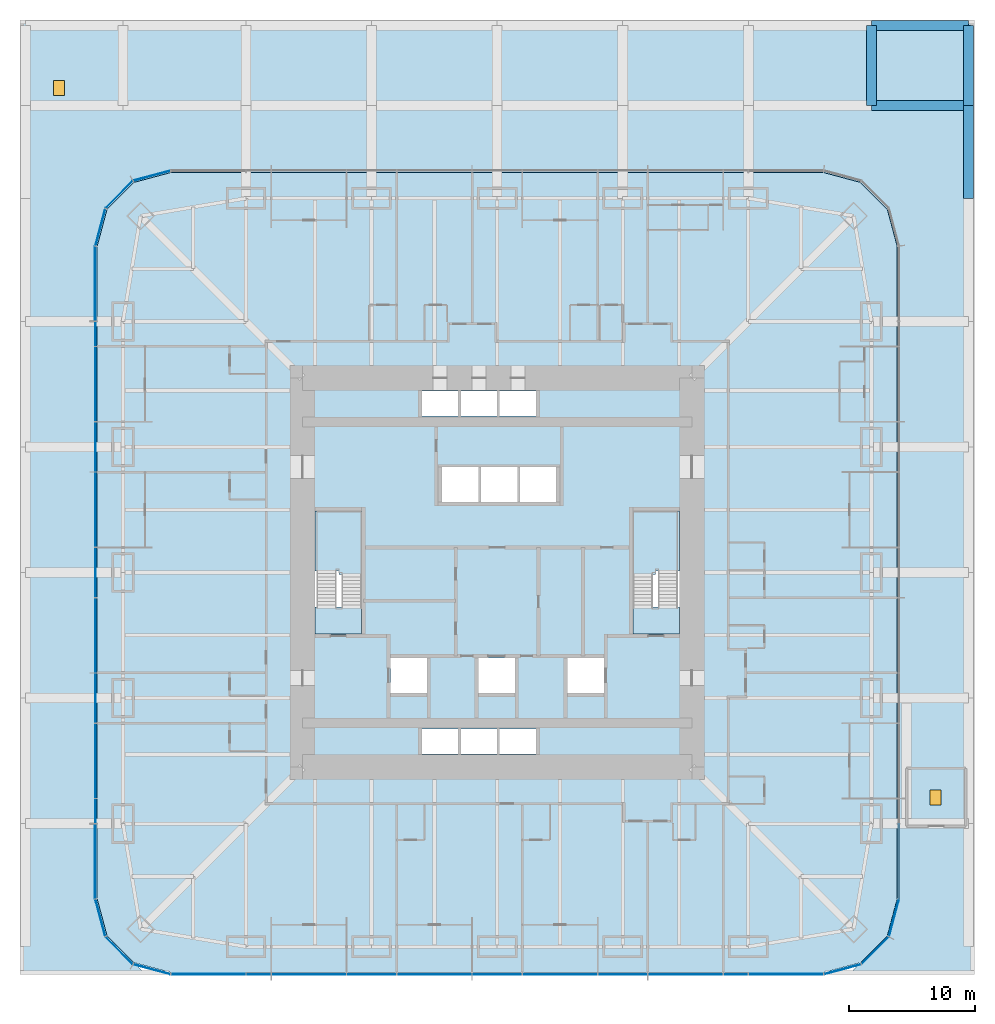
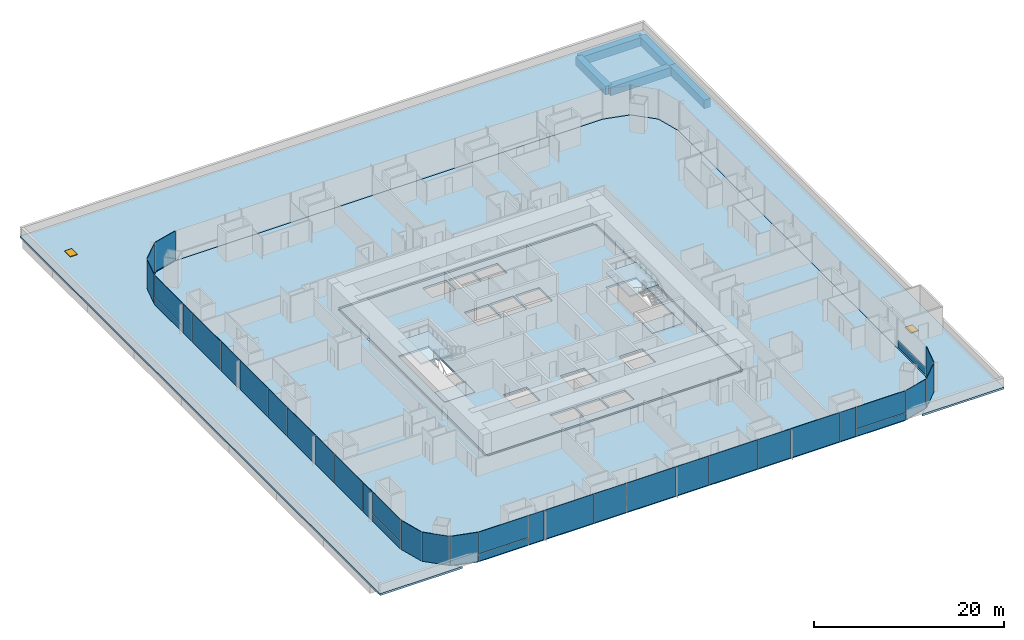
# One storey, part 12 of 20: 36 plates, 7 slabs, 5 beams, 2 doors, 2 openings, 8 elements without a shape of their own.
"""IFC4 building model written with IfcOpenShell, lengths in metres."""

from ifc_helpers import new_model, si_unit, direction, frame, origin, origin_2d, place, context, subcontext, project, spatial, polyline, rectangle, outline, extrude, material, layer, layer_set, material_profile, profile_set, type_object, element, fill, aggregate, save


model = new_model("IFC4")

# Units and contexts
model_context = context("Model", 3, precision=1e-05, world=origin(), true_north=direction((0.0, 1.0)))
body_context = subcontext(model_context, "Body", "Model", "MODEL_VIEW")
ifc_project = project(units=[si_unit("LENGTHUNIT", "METRE"), si_unit("AREAUNIT", "SQUARE_METRE"), si_unit("VOLUMEUNIT", "CUBIC_METRE"), si_unit("PLANEANGLEUNIT", "RADIAN"), si_unit("MASSUNIT", "GRAM", prefix="KILO")], contexts=[model_context])

# Site, building, storey
site_placement = place(None, origin())
site = spatial("IfcSite", under=ifc_project, at=site_placement, CompositionType="ELEMENT")
building_placement = place(site_placement, origin())
building = spatial("IfcBuilding", under=site, at=building_placement, Name="Khuree Lantern Residences", CompositionType="ELEMENT")
storey_placement = place(building_placement, frame((0.0, 0.0, 21.0)))
storey = spatial("IfcBuildingStorey", under=building, at=storey_placement, Name="L04", CompositionType="ELEMENT", Elevation=21.0)

# Beams
ifc_material_1 = material(Name="Concrete C40/50", Category="concrete")
ifc_material_profile = material_profile(ifc_material_1, rectangle(XDim=0.800048828125, YDim=1.10009765625, at=origin_2d()), Name="RC 800X1100")
ifc_profile_set = profile_set([ifc_material_profile], Name="Concrete C40/50")
beam_type = type_object("IfcBeamType", Name="RB4 PODIUM ROOF BEAM RC 800X1100", PredefinedType="BEAM", material=ifc_profile_set)
for number, where, z_axis, x_axis, name in (
    (1, (29.800048828125, 37.199951171875, -0.800048828125), (1.0, 0.0, 0.0), (0.0, 1.0, 0.0), "Podium roof beam RB-18"),
    (2, (29.800048828125, 43.550048828125, -0.800048828125), (1.0, 0.0, 0.0), (0.0, 1.0, 0.0), "Podium roof beam RB-26"),
):
    element("IfcBeam", number, at=place(storey_placement, frame(where, z_axis=z_axis, x_axis=x_axis)), inside=storey, type_object=beam_type, Name=name, PredefinedType="BEAM", context=body_context, shape_type="SweptSolid", body=[
        extrude(rectangle(XDim=0.800048828125, YDim=1.10009765625, at=origin_2d()), origin(), (0.0, 0.0, 1.0), 7.75),
    ])
beam_1_placement = place(storey_placement, frame((29.800048828125, 37.199951171875, -0.800048828125), z_axis=(0.0, 1.0, 0.0), x_axis=(-1.0, 0.0, 0.0)))
element("IfcBeam", 3, at=beam_1_placement, inside=storey, type_object=beam_type, Name="Podium roof beam RB-46", PredefinedType="BEAM", context=body_context, shape_type="SweptSolid", body=[
    extrude(rectangle(XDim=0.800048828125, YDim=1.10009765625, at=origin_2d()), origin(), (0.0, 0.0, 1.0), 6.35009765625),
])
beam_2_placement = place(storey_placement, frame((37.550048828125, 29.800048828125, -0.800048828125), z_axis=(0.0, 1.0, 0.0), x_axis=(-1.0, 0.0, 0.0)))
element("IfcBeam", 4, at=beam_2_placement, inside=storey, type_object=beam_type, Name="Podium roof beam RB-53", PredefinedType="BEAM", context=body_context, shape_type="SweptSolid", body=[
    extrude(rectangle(XDim=0.800048828125, YDim=1.10009765625, at=origin_2d()), origin(), (0.0, 0.0, 1.0), 7.39990234375),
])
beam_3_placement = place(storey_placement, frame((37.550048828125, 37.199951171875, -0.800048828125), z_axis=(0.0, 1.0, 0.0), x_axis=(-1.0, 0.0, 0.0)))
element("IfcBeam", 5, at=beam_3_placement, inside=storey, type_object=beam_type, Name="Podium roof beam RB-54", PredefinedType="BEAM", context=body_context, shape_type="SweptSolid", body=[
    extrude(rectangle(XDim=0.800048828125, YDim=1.10009765625, at=origin_2d()), origin(), (0.0, 0.0, 1.0), 6.35009765625),
])

# Slab
ifc_material_2 = material(Name="Concrete C35/45", Category="concrete")
ifc_layer_1 = layer(ifc_material_2, 0.25)
ifc_layer_set_1 = layer_set([ifc_layer_1], Name="CFL250 CORE FLOOR SLAB 250")
slab_type_1 = type_object("IfcSlabType", Name="CFL250 CORE FLOOR SLAB 250", PredefinedType="FLOOR", material=ifc_layer_set_1)
slab_1_placement = place(storey_placement, frame((0.0, 0.0, -0.25)))
element("IfcSlab", 6, at=slab_1_placement, inside=storey, type_object=slab_type_1, Name="Core floor L04", PredefinedType="FLOOR", context=body_context, shape_type="SweptSolid", body=[
    extrude(outline(polyline([(-15.5, -15.5), (-15.5, 15.5), (15.5, 15.5), (15.5, -15.5), (-15.5, -15.5)]), holes=[polyline([(14.5, 4.89990234375), (10.800048828125, 4.89990234375), (10.800048828125, -4.89990234375), (14.5, -4.89990234375), (14.5, 4.89990234375)]), polyline([(8.5, -6.800048828125), (5.60009765625, -6.800048828125), (5.60009765625, -9.60009765625), (8.5, -9.60009765625), (8.5, -6.800048828125)]), polyline([(4.699951171875, 8.39990234375), (1.800048828125, 8.39990234375), (1.800048828125, 5.60009765625), (4.699951171875, 5.60009765625), (4.699951171875, 8.39990234375)]), polyline([(0.199951171875, -12.449951171875), (0.199951171875, -14.449951171875), (3.10009765625, -14.449951171875), (3.10009765625, -12.449951171875), (0.199951171875, -12.449951171875)]), polyline([(3.10009765625, 14.449951171875), (0.199951171875, 14.449951171875), (0.199951171875, 12.449951171875), (3.10009765625, 12.449951171875), (3.10009765625, 14.449951171875)]), polyline([(1.60009765625, 8.39990234375), (-1.300048828125, 8.39990234375), (-1.300048828125, 5.60009765625), (1.60009765625, 5.60009765625), (1.60009765625, 8.39990234375)]), polyline([(1.39990234375, -6.800048828125), (-1.5, -6.800048828125), (-1.5, -9.60009765625), (1.39990234375, -9.60009765625), (1.39990234375, -6.800048828125)]), polyline([(0.0, -12.449951171875), (-2.89990234375, -12.449951171875), (-2.89990234375, -14.449951171875), (0.0, -14.449951171875), (0.0, -12.449951171875)]), polyline([(0.0, 14.449951171875), (-2.89990234375, 14.449951171875), (-2.89990234375, 12.449951171875), (0.0, 12.449951171875), (0.0, 14.449951171875)]), polyline([(-1.5, 8.39990234375), (-4.39990234375, 8.39990234375), (-4.39990234375, 5.60009765625), (-1.5, 5.60009765625), (-1.5, 8.39990234375)]), polyline([(-6.0, -12.449951171875), (-6.0, -14.449951171875), (-3.10009765625, -14.449951171875), (-3.10009765625, -12.449951171875), (-6.0, -12.449951171875)]), polyline([(-3.10009765625, 14.449951171875), (-6.0, 14.449951171875), (-6.0, 12.449951171875), (-3.10009765625, 12.449951171875), (-3.10009765625, 14.449951171875)]), polyline([(-5.60009765625, -6.800048828125), (-8.5, -6.800048828125), (-8.5, -9.60009765625), (-5.60009765625, -9.60009765625), (-5.60009765625, -6.800048828125)]), polyline([(-10.800048828125, 4.89990234375), (-14.5, 4.89990234375), (-14.5, -4.89990234375), (-10.800048828125, -4.89990234375), (-10.800048828125, 4.89990234375)])]), origin(), (0.0, 0.0, 1.0), 0.25),
])

# Curtain wall, plates
ifc_material_3 = material(Name="Bronze anodised aluminium", Category="aluminium")
curtain_wall_type_1 = type_object("IfcCurtainWallType", Name="CW-T2 TOWER CORNER CURTAIN WALL", PredefinedType="USERDEFINED", material=ifc_material_3)
curtain_wall_1_placement = place(storey_placement, origin())
curtain_wall_1 = element("IfcCurtainWall", 7, at=curtain_wall_1_placement, inside=storey, type_object=curtain_wall_type_1, Name="L04 SOUTH-EAST CORNER CURTAIN WALL", ObjectType="Faceted corner curtain wall", PredefinedType="USERDEFINED")
ifc_material_4 = material(Name="Bronze tinted triple glazing", Category="glass")
ifc_layer_2 = layer(ifc_material_4, 0.048095703125)
ifc_layer_set_2 = layer_set([ifc_layer_2], Name="FACET PANEL P4")
plate_type_1 = type_object("IfcPlateType", Name="FACET PANEL P4", PredefinedType="CURTAIN_PANEL", material=ifc_layer_set_2)
plate_1_placement = place(storey_placement, frame((27.498046875, -31.5986328125, 0.0), z_axis=(0.0, 0.0, 1.0), x_axis=(0.965925792265, 0.258819172081, 0.0)))
plate_1 = element("IfcPlate", 8, at=plate_1_placement, type_object=plate_type_1, Name="L04 SOUTH-EAST CORNER PANEL 1.1", PredefinedType="CURTAIN_PANEL", context=body_context, shape_type="SweptSolid", body=[
    extrude(rectangle(XDim=3.02978515625, YDim=0.048095703125, at=origin_2d()), origin(), (0.0, 0.0, 1.0), 3.75),
])
plate_2_placement = place(storey_placement, frame((30.09814453125, -30.09814453125, 0.0), z_axis=(0.0, 0.0, 1.0), x_axis=(0.707106781187, 0.707106781187, 0.0)))
plate_2 = element("IfcPlate", 9, at=plate_2_placement, type_object=plate_type_1, Name="L04 SOUTH-EAST CORNER PANEL 2.1", PredefinedType="CURTAIN_PANEL", context=body_context, shape_type="SweptSolid", body=[
    extrude(rectangle(XDim=3.025634765625, YDim=0.048095703125, at=origin_2d()), origin(), (0.0, 0.0, 1.0), 3.75),
])
plate_3_placement = place(storey_placement, frame((31.5986328125, -27.498046875, 0.0), z_axis=(0.0, 0.0, 1.0), x_axis=(0.258819172081, 0.965925792265, 0.0)))
plate_3 = element("IfcPlate", 10, at=plate_3_placement, type_object=plate_type_1, Name="L04 SOUTH-EAST CORNER PANEL 3.1", PredefinedType="CURTAIN_PANEL", context=body_context, shape_type="SweptSolid", body=[
    extrude(rectangle(XDim=3.02978515625, YDim=0.048095703125, at=origin_2d()), origin(), (0.0, 0.0, 1.0), 3.75),
])
aggregate(curtain_wall_1, [plate_1, plate_2, plate_3])

curtain_wall_2_placement = place(storey_placement, origin())
curtain_wall_2 = element("IfcCurtainWall", 11, at=curtain_wall_2_placement, inside=storey, type_object=curtain_wall_type_1, Name="L04 NORTH-WEST CORNER CURTAIN WALL", ObjectType="Faceted corner curtain wall", PredefinedType="USERDEFINED")
plate_4_placement = place(storey_placement, frame((-27.498046875, 31.5986328125, 0.0), z_axis=(0.0, 0.0, 1.0), x_axis=(-0.965925792265, -0.258819172081, 0.0)))
plate_4 = element("IfcPlate", 12, at=plate_4_placement, type_object=plate_type_1, Name="L04 NORTH-WEST CORNER PANEL 29.1", PredefinedType="CURTAIN_PANEL", context=body_context, shape_type="SweptSolid", body=[
    extrude(rectangle(XDim=3.02978515625, YDim=0.048095703125, at=origin_2d()), origin(), (0.0, 0.0, 1.0), 3.75),
])
plate_5_placement = place(storey_placement, frame((-30.09814453125, 30.09814453125, 0.0), z_axis=(0.0, 0.0, 1.0), x_axis=(-0.707106781187, -0.707106781187, 0.0)))
plate_5 = element("IfcPlate", 13, at=plate_5_placement, type_object=plate_type_1, Name="L04 NORTH-WEST CORNER PANEL 30.1", PredefinedType="CURTAIN_PANEL", context=body_context, shape_type="SweptSolid", body=[
    extrude(rectangle(XDim=3.025634765625, YDim=0.048095703125, at=origin_2d()), origin(), (0.0, 0.0, 1.0), 3.75),
])
plate_6_placement = place(storey_placement, frame((-31.5986328125, 27.498046875, 0.0), z_axis=(0.0, 0.0, 1.0), x_axis=(-0.258819172081, -0.965925792265, 0.0)))
plate_6 = element("IfcPlate", 14, at=plate_6_placement, type_object=plate_type_1, Name="L04 NORTH-WEST CORNER PANEL 31.1", PredefinedType="CURTAIN_PANEL", context=body_context, shape_type="SweptSolid", body=[
    extrude(rectangle(XDim=3.02978515625, YDim=0.048095703125, at=origin_2d()), origin(), (0.0, 0.0, 1.0), 3.75),
])
aggregate(curtain_wall_2, [plate_4, plate_5, plate_6])

curtain_wall_3_placement = place(storey_placement, origin())
curtain_wall_3 = element("IfcCurtainWall", 15, at=curtain_wall_3_placement, inside=storey, type_object=curtain_wall_type_1, Name="L04 SOUTH-WEST CORNER CURTAIN WALL", ObjectType="Faceted corner curtain wall", PredefinedType="USERDEFINED")
plate_7_placement = place(storey_placement, frame((-31.5986328125, -27.498046875, 0.0), z_axis=(0.0, 0.0, 1.0), x_axis=(0.258819172081, -0.965925792265, 0.0)))
plate_7 = element("IfcPlate", 16, at=plate_7_placement, type_object=plate_type_1, Name="L04 SOUTH-WEST CORNER PANEL 43.1", PredefinedType="CURTAIN_PANEL", context=body_context, shape_type="SweptSolid", body=[
    extrude(rectangle(XDim=3.02978515625, YDim=0.048095703125, at=origin_2d()), origin(), (0.0, 0.0, 1.0), 3.75),
])
plate_8_placement = place(storey_placement, frame((-30.09814453125, -30.09814453125, 0.0), z_axis=(0.0, 0.0, 1.0), x_axis=(0.707106781187, -0.707106781187, 0.0)))
plate_8 = element("IfcPlate", 17, at=plate_8_placement, type_object=plate_type_1, Name="L04 SOUTH-WEST CORNER PANEL 44.1", PredefinedType="CURTAIN_PANEL", context=body_context, shape_type="SweptSolid", body=[
    extrude(rectangle(XDim=3.025634765625, YDim=0.048095703125, at=origin_2d()), origin(), (0.0, 0.0, 1.0), 3.75),
])
plate_9_placement = place(storey_placement, frame((-27.498046875, -31.5986328125, 0.0), z_axis=(0.0, 0.0, 1.0), x_axis=(0.965925792265, -0.258819172081, 0.0)))
plate_9 = element("IfcPlate", 18, at=plate_9_placement, type_object=plate_type_1, Name="L04 SOUTH-WEST CORNER PANEL 45.1", PredefinedType="CURTAIN_PANEL", context=body_context, shape_type="SweptSolid", body=[
    extrude(rectangle(XDim=3.02978515625, YDim=0.048095703125, at=origin_2d()), origin(), (0.0, 0.0, 1.0), 3.75),
])
aggregate(curtain_wall_3, [plate_7, plate_8, plate_9])

curtain_wall_type_2 = type_object("IfcCurtainWallType", Name="CW-T1 TOWER FACE CURTAIN WALL", PredefinedType="USERDEFINED", material=ifc_material_3)
curtain_wall_4_placement = place(storey_placement, origin())
curtain_wall_4 = element("IfcCurtainWall", 19, at=curtain_wall_4_placement, inside=storey, type_object=curtain_wall_type_2, Name="L04 WEST FACE CURTAIN WALL", ObjectType="Stick-built curtain wall", PredefinedType="USERDEFINED")
ifc_material_5 = material(Name="Bronze tinted triple glazing with a ceramic-fritted spandrel band", Category="glass")
ifc_layer_3 = layer(ifc_material_5, 0.048095703125)
ifc_layer_set_3 = layer_set([ifc_layer_3], Name="FIXED LIGHT PANEL P11")
plate_type_2 = type_object("IfcPlateType", Name="FIXED LIGHT PANEL P11", PredefinedType="CURTAIN_PANEL", material=ifc_layer_set_3)
plate_10_placement = place(storey_placement, frame((-32.0, 15.0, 0.0), z_axis=(0.0, 0.0, 1.0), x_axis=(0.0, -1.0, 0.0)))
plate_10 = element("IfcPlate", 20, at=plate_10_placement, type_object=plate_type_2, Name="L04 WEST FACE PANEL 34.1", PredefinedType="CURTAIN_PANEL", context=body_context, shape_type="SweptSolid", body=[
    extrude(rectangle(XDim=5.93505859375, YDim=0.048095703125, at=origin_2d()), origin(), (0.0, 0.0, 1.0), 3.75),
])
plate_11_placement = place(storey_placement, frame((-32.0, 5.0, 0.0), z_axis=(0.0, 0.0, 1.0), x_axis=(0.0, -1.0, 0.0)))
plate_11 = element("IfcPlate", 21, at=plate_11_placement, type_object=plate_type_2, Name="L04 WEST FACE PANEL 36.1", PredefinedType="CURTAIN_PANEL", context=body_context, shape_type="SweptSolid", body=[
    extrude(rectangle(XDim=5.93505859375, YDim=0.048095703125, at=origin_2d()), origin(), (0.0, 0.0, 1.0), 3.75),
])
plate_12_placement = place(storey_placement, frame((-32.0, -5.0, 0.0), z_axis=(0.0, 0.0, 1.0), x_axis=(0.0, -1.0, 0.0)))
plate_12 = element("IfcPlate", 22, at=plate_12_placement, type_object=plate_type_2, Name="L04 WEST FACE PANEL 38.1", PredefinedType="CURTAIN_PANEL", context=body_context, shape_type="SweptSolid", body=[
    extrude(rectangle(XDim=5.93505859375, YDim=0.048095703125, at=origin_2d()), origin(), (0.0, 0.0, 1.0), 3.75),
])
plate_13_placement = place(storey_placement, frame((-32.0, -15.0, 0.0), z_axis=(0.0, 0.0, 1.0), x_axis=(0.0, -1.0, 0.0)))
plate_13 = element("IfcPlate", 23, at=plate_13_placement, type_object=plate_type_2, Name="L04 WEST FACE PANEL 40.1", PredefinedType="CURTAIN_PANEL", context=body_context, shape_type="SweptSolid", body=[
    extrude(rectangle(XDim=5.93505859375, YDim=0.048095703125, at=origin_2d()), origin(), (0.0, 0.0, 1.0), 3.75),
])

curtain_wall_5_placement = place(storey_placement, origin())
curtain_wall_5 = element("IfcCurtainWall", 24, at=curtain_wall_5_placement, inside=storey, type_object=curtain_wall_type_2, Name="L04 SOUTH FACE CURTAIN WALL", ObjectType="Stick-built curtain wall", PredefinedType="USERDEFINED")
plate_14_placement = place(storey_placement, frame((-15.0, -32.0, 0.0), z_axis=(0.0, 0.0, 1.0), x_axis=(1.0, 0.0, 0.0)))
plate_14 = element("IfcPlate", 25, at=plate_14_placement, type_object=plate_type_2, Name="L04 SOUTH FACE PANEL 48.1", PredefinedType="CURTAIN_PANEL", context=body_context, shape_type="SweptSolid", body=[
    extrude(rectangle(XDim=5.93505859375, YDim=0.048095703125, at=origin_2d()), origin(), (0.0, 0.0, 1.0), 3.75),
])
plate_15_placement = place(storey_placement, frame((-5.0, -32.0, 0.0), z_axis=(0.0, 0.0, 1.0), x_axis=(1.0, 0.0, 0.0)))
plate_15 = element("IfcPlate", 26, at=plate_15_placement, type_object=plate_type_2, Name="L04 SOUTH FACE PANEL 50.1", PredefinedType="CURTAIN_PANEL", context=body_context, shape_type="SweptSolid", body=[
    extrude(rectangle(XDim=5.93505859375, YDim=0.048095703125, at=origin_2d()), origin(), (0.0, 0.0, 1.0), 3.75),
])
plate_16_placement = place(storey_placement, frame((5.0, -32.0, 0.0), z_axis=(0.0, 0.0, 1.0), x_axis=(1.0, 0.0, 0.0)))
plate_16 = element("IfcPlate", 27, at=plate_16_placement, type_object=plate_type_2, Name="L04 SOUTH FACE PANEL 52.1", PredefinedType="CURTAIN_PANEL", context=body_context, shape_type="SweptSolid", body=[
    extrude(rectangle(XDim=5.93505859375, YDim=0.048095703125, at=origin_2d()), origin(), (0.0, 0.0, 1.0), 3.75),
])
plate_17_placement = place(storey_placement, frame((15.0, -32.0, 0.0), z_axis=(0.0, 0.0, 1.0), x_axis=(1.0, 0.0, 0.0)))
plate_17 = element("IfcPlate", 28, at=plate_17_placement, type_object=plate_type_2, Name="L04 SOUTH FACE PANEL 54.1", PredefinedType="CURTAIN_PANEL", context=body_context, shape_type="SweptSolid", body=[
    extrude(rectangle(XDim=5.93505859375, YDim=0.048095703125, at=origin_2d()), origin(), (0.0, 0.0, 1.0), 3.75),
])

# Slab
ifc_layer_4 = layer(ifc_material_2, 0.25)
ifc_layer_set_4 = layer_set([ifc_layer_4], Name="FS250 FLOOR SLAB 250")
slab_type_2 = type_object("IfcSlabType", Name="FS250 FLOOR SLAB 250", PredefinedType="FLOOR", material=ifc_layer_set_4)
slab_2_placement = place(storey_placement, frame((0.0, 0.0, -0.25)))
element("IfcSlab", 29, at=slab_2_placement, inside=storey, type_object=slab_type_2, Name="Floor slab L04", PredefinedType="FLOOR", context=body_context, shape_type="SweptSolid", body=[
    extrude(outline(polyline([(-28.925048828125, -31.066162109375), (-31.066162109375, -28.925048828125), (-31.85009765625, -26.0), (-31.85009765625, 26.0), (-31.066162109375, 28.925048828125), (-28.925048828125, 31.066162109375), (-26.0, 31.85009765625), (26.0, 31.85009765625), (28.925048828125, 31.066162109375), (31.066162109375, 28.925048828125), (31.85009765625, 26.0), (31.85009765625, -26.0), (31.066162109375, -28.925048828125), (28.925048828125, -31.066162109375), (26.0, -31.85009765625), (-26.0, -31.85009765625), (-28.925048828125, -31.066162109375)]), holes=[polyline([(15.75, 15.5), (15.5, 15.5), (15.5, 15.75), (-15.5, 15.75), (-15.5, 15.5), (-15.75, 15.5), (-15.75, -15.5), (-15.5, -15.5), (-15.5, -15.75), (15.5, -15.75), (15.5, -15.5), (15.75, -15.5), (15.75, 15.5)])]), origin(), (0.0, 0.0, 1.0), 0.25),
])

# Slab, openings, doors
ifc_layer_5 = layer(ifc_material_2, 0.25)
ifc_layer_set_5 = layer_set([ifc_layer_5], Name="RS250 ROOF SLAB 250")
slab_type_3 = type_object("IfcSlabType", Name="RS250 ROOF SLAB 250", PredefinedType="ROOF", material=ifc_layer_set_5)
slab_3_placement = place(storey_placement, frame((0.0, 0.0, -0.25)))
slab_3 = element("IfcSlab", 30, at=slab_3_placement, inside=storey, type_object=slab_type_3, Name="Podium roof", PredefinedType="ROOF", context=body_context, shape_type="SweptSolid", body=[
    extrude(outline(polyline([(-38.0, 44.0), (38.0, 44.0), (38.0, -32.0), (27.9912109375, -32.0), (28.925048828125, -31.066162109375), (31.066162109375, -28.925048828125), (31.85009765625, -26.0), (31.85009765625, 26.0), (31.066162109375, 28.925048828125), (28.925048828125, 31.066162109375), (26.0, 31.85009765625), (-26.0, 31.85009765625), (-28.925048828125, 31.066162109375), (-31.066162109375, 28.925048828125), (-31.85009765625, 26.0), (-31.85009765625, -26.0), (-31.066162109375, -28.925048828125), (-28.925048828125, -31.066162109375), (-27.9912109375, -32.0), (-38.0, -32.0), (-38.0, 44.0)])), origin(), (0.0, 0.0, 1.0), 0.25),
])
opening_1_placement = place(slab_3_placement, frame((-34.89990234375, 38.60009765625, 0.0)))
opening_1 = element("IfcOpeningElement", 31, at=opening_1_placement, cuts=slab_3, Name="Opening RH-1", PredefinedType="OPENING", context=body_context, shape_type="SweptSolid", body=[
    extrude(rectangle(XDim=0.89990234375, YDim=1.199951171875, at=origin_2d()), origin(), (0.0, 0.0, 1.0), 0.300048828125),
])
opening_2_placement = place(slab_3_placement, frame((34.89990234375, -17.89990234375, 0.0)))
opening_2 = element("IfcOpeningElement", 32, at=opening_2_placement, cuts=slab_3, Name="Opening RH-3", PredefinedType="OPENING", context=body_context, shape_type="SweptSolid", body=[
    extrude(rectangle(XDim=0.89990234375, YDim=1.199951171875, at=origin_2d()), origin(), (0.0, 0.0, 1.0), 0.300048828125),
])
ifc_material_6 = material(Name="Insulated aluminium roof hatch", Category="aluminium")
door_type = type_object("IfcDoorType", Name="ROOF ACCESS HATCH RH1 900X1200", OperationType="SINGLE_SWING_LEFT", PredefinedType="TRAPDOOR", material=ifc_material_6)
door_1_placement = place(opening_1_placement, frame((0.0, 0.0, 0.25)))
door_1 = element("IfcDoor", 33, at=door_1_placement, inside=storey, type_object=door_type, Name="PODIUM ROOF ACCESS HATCH", OperationType="SINGLE_SWING_LEFT", OverallHeight=1.199951171875, OverallWidth=0.89990234375, PredefinedType="TRAPDOOR", context=body_context, shape_type="SweptSolid", body=[
    extrude(rectangle(XDim=0.89990234375, YDim=1.199951171875, at=origin_2d()), origin(), (0.0, 0.0, 1.0), 0.050048828125),
])
fill(opening_1, door_1)
door_2_placement = place(opening_2_placement, frame((0.0, 0.0, 0.25)))
door_2 = element("IfcDoor", 34, at=door_2_placement, inside=storey, type_object=door_type, Name="PODIUM ROOF PLANT ROOM ACCESS HATCH", OperationType="SINGLE_SWING_LEFT", OverallHeight=1.199951171875, OverallWidth=0.89990234375, PredefinedType="TRAPDOOR", context=body_context, shape_type="SweptSolid", body=[
    extrude(rectangle(XDim=0.89990234375, YDim=1.199951171875, at=origin_2d()), origin(), (0.0, 0.0, 1.0), 0.050048828125),
])
fill(opening_2, door_2)

# Plate
ifc_material_7 = material(Name="Bronze tinted triple glazing, two aluminium-framed sashes in one frame", Category="aluminium")
ifc_layer_6 = layer(ifc_material_7, 0.048095703125)
ifc_layer_set_6 = layer_set([ifc_layer_6], Name="SASH PAIR PANEL P12")
plate_type_3 = type_object("IfcPlateType", Name="SASH PAIR PANEL P12", PredefinedType="CURTAIN_PANEL", material=ifc_layer_set_6)
plate_18_placement = place(storey_placement, frame((-32.0, 10.0, 0.0), z_axis=(0.0, 0.0, 1.0), x_axis=(0.0, -1.0, 0.0)))
plate_18 = element("IfcPlate", 35, at=plate_18_placement, type_object=plate_type_3, Name="L04 WEST FACE PANEL 35.1", PredefinedType="CURTAIN_PANEL", context=body_context, shape_type="SweptSolid", body=[
    extrude(rectangle(XDim=3.93505859375, YDim=0.048095703125, at=origin_2d()), origin(), (0.0, 0.0, 1.0), 3.75),
])

plate_19_placement = place(storey_placement, frame((-32.0, 0.0, 0.0), z_axis=(0.0, 0.0, 1.0), x_axis=(0.0, -1.0, 0.0)))
plate_19 = element("IfcPlate", 36, at=plate_19_placement, type_object=plate_type_3, Name="L04 WEST FACE PANEL 37.1", PredefinedType="CURTAIN_PANEL", context=body_context, shape_type="SweptSolid", body=[
    extrude(rectangle(XDim=3.93505859375, YDim=0.048095703125, at=origin_2d()), origin(), (0.0, 0.0, 1.0), 3.75),
])

plate_20_placement = place(storey_placement, frame((-32.0, -10.0, 0.0), z_axis=(0.0, 0.0, 1.0), x_axis=(0.0, -1.0, 0.0)))
plate_20 = element("IfcPlate", 37, at=plate_20_placement, type_object=plate_type_3, Name="L04 WEST FACE PANEL 39.1", PredefinedType="CURTAIN_PANEL", context=body_context, shape_type="SweptSolid", body=[
    extrude(rectangle(XDim=3.93505859375, YDim=0.048095703125, at=origin_2d()), origin(), (0.0, 0.0, 1.0), 3.75),
])

plate_21_placement = place(storey_placement, frame((-10.0, -32.0, 0.0), z_axis=(0.0, 0.0, 1.0), x_axis=(1.0, 0.0, 0.0)))
plate_21 = element("IfcPlate", 38, at=plate_21_placement, type_object=plate_type_3, Name="L04 SOUTH FACE PANEL 49.1", PredefinedType="CURTAIN_PANEL", context=body_context, shape_type="SweptSolid", body=[
    extrude(rectangle(XDim=3.93505859375, YDim=0.048095703125, at=origin_2d()), origin(), (0.0, 0.0, 1.0), 3.75),
])

plate_22_placement = place(storey_placement, frame((0.0, -32.0, 0.0), z_axis=(0.0, 0.0, 1.0), x_axis=(1.0, 0.0, 0.0)))
plate_22 = element("IfcPlate", 39, at=plate_22_placement, type_object=plate_type_3, Name="L04 SOUTH FACE PANEL 51.1", PredefinedType="CURTAIN_PANEL", context=body_context, shape_type="SweptSolid", body=[
    extrude(rectangle(XDim=3.93505859375, YDim=0.048095703125, at=origin_2d()), origin(), (0.0, 0.0, 1.0), 3.75),
])

plate_23_placement = place(storey_placement, frame((10.0, -32.0, 0.0), z_axis=(0.0, 0.0, 1.0), x_axis=(1.0, 0.0, 0.0)))
plate_23 = element("IfcPlate", 40, at=plate_23_placement, type_object=plate_type_3, Name="L04 SOUTH FACE PANEL 53.1", PredefinedType="CURTAIN_PANEL", context=body_context, shape_type="SweptSolid", body=[
    extrude(rectangle(XDim=3.93505859375, YDim=0.048095703125, at=origin_2d()), origin(), (0.0, 0.0, 1.0), 3.75),
])

ifc_material_8 = material(Name="Bronze tinted triple glazing, aluminium-framed sash", Category="aluminium")
ifc_layer_7 = layer(ifc_material_8, 0.048095703125)
ifc_layer_set_7 = layer_set([ifc_layer_7], Name="SASH PANEL P3")
plate_type_4 = type_object("IfcPlateType", Name="SASH PANEL P3", PredefinedType="CURTAIN_PANEL", material=ifc_layer_set_7)
plate_24_placement = place(storey_placement, frame((-32.0, 19.0, 0.0), z_axis=(0.0, 0.0, 1.0), x_axis=(0.0, -1.0, 0.0)))
plate_24 = element("IfcPlate", 41, at=plate_24_placement, type_object=plate_type_4, Name="L04 WEST FACE PANEL 33.1", PredefinedType="CURTAIN_PANEL", context=body_context, shape_type="SweptSolid", body=[
    extrude(rectangle(XDim=1.93505859375, YDim=0.048095703125, at=origin_2d()), origin(), (0.0, 0.0, 1.0), 3.75),
])

plate_25_placement = place(storey_placement, frame((-32.0, -19.0, 0.0), z_axis=(0.0, 0.0, 1.0), x_axis=(0.0, -1.0, 0.0)))
plate_25 = element("IfcPlate", 42, at=plate_25_placement, type_object=plate_type_4, Name="L04 WEST FACE PANEL 41.1", PredefinedType="CURTAIN_PANEL", context=body_context, shape_type="SweptSolid", body=[
    extrude(rectangle(XDim=1.93505859375, YDim=0.048095703125, at=origin_2d()), origin(), (0.0, 0.0, 1.0), 3.75),
])

plate_26_placement = place(storey_placement, frame((-19.0, -32.0, 0.0), z_axis=(0.0, 0.0, 1.0), x_axis=(1.0, 0.0, 0.0)))
plate_26 = element("IfcPlate", 43, at=plate_26_placement, type_object=plate_type_4, Name="L04 SOUTH FACE PANEL 47.1", PredefinedType="CURTAIN_PANEL", context=body_context, shape_type="SweptSolid", body=[
    extrude(rectangle(XDim=1.93505859375, YDim=0.048095703125, at=origin_2d()), origin(), (0.0, 0.0, 1.0), 3.75),
])

plate_27_placement = place(storey_placement, frame((19.0, -32.0, 0.0), z_axis=(0.0, 0.0, 1.0), x_axis=(1.0, 0.0, 0.0)))
plate_27 = element("IfcPlate", 44, at=plate_27_placement, type_object=plate_type_4, Name="L04 SOUTH FACE PANEL 55.1", PredefinedType="CURTAIN_PANEL", context=body_context, shape_type="SweptSolid", body=[
    extrude(rectangle(XDim=1.93505859375, YDim=0.048095703125, at=origin_2d()), origin(), (0.0, 0.0, 1.0), 3.75),
])

# Curtain wall, plate
curtain_wall_6_placement = place(storey_placement, origin())
curtain_wall_6 = element("IfcCurtainWall", 45, at=curtain_wall_6_placement, inside=storey, type_object=curtain_wall_type_2, Name="L04 EAST FACE CURTAIN WALL", ObjectType="Stick-built curtain wall", PredefinedType="USERDEFINED")
ifc_material_9 = material(Name="Bronze anodised aluminium insulated spandrel", Category="aluminium")
ifc_layer_8 = layer(ifc_material_9, 0.06005859375)
ifc_layer_set_8 = layer_set([ifc_layer_8], Name="SPANDREL PANEL P2")
plate_type_5 = type_object("IfcPlateType", Name="SPANDREL PANEL P2", PredefinedType="CURTAIN_PANEL", material=ifc_layer_set_8)
plate_28_placement = place(storey_placement, frame((32.0, -22.997802734375, 0.0), z_axis=(0.0, 0.0, 1.0), x_axis=(0.0, 1.0, 0.0)))
plate_28 = element("IfcPlate", 46, at=plate_28_placement, type_object=plate_type_5, Name="L04 EAST FACE PANEL 4.1", PredefinedType="CURTAIN_PANEL", context=body_context, shape_type="SweptSolid", body=[
    extrude(rectangle(XDim=5.9306640625, YDim=0.06005859375, at=origin_2d()), origin(), (0.0, 0.0, 1.0), 0.867431640625),
])
aggregate(curtain_wall_6, [plate_28])

# Plate
plate_29_placement = place(storey_placement, frame((-32.0, 22.997802734375, 0.0), z_axis=(0.0, 0.0, 1.0), x_axis=(0.0, -1.0, 0.0)))
plate_29 = element("IfcPlate", 47, at=plate_29_placement, type_object=plate_type_5, Name="L04 WEST FACE PANEL 32.1", PredefinedType="CURTAIN_PANEL", context=body_context, shape_type="SweptSolid", body=[
    extrude(rectangle(XDim=5.9306640625, YDim=0.06005859375, at=origin_2d()), origin(), (0.0, 0.0, 1.0), 0.867431640625),
])

plate_30_placement = place(storey_placement, frame((-32.0, -22.997802734375, 0.0), z_axis=(0.0, 0.0, 1.0), x_axis=(0.0, -1.0, 0.0)))
plate_30 = element("IfcPlate", 48, at=plate_30_placement, type_object=plate_type_5, Name="L04 WEST FACE PANEL 42.1", PredefinedType="CURTAIN_PANEL", context=body_context, shape_type="SweptSolid", body=[
    extrude(rectangle(XDim=5.9306640625, YDim=0.06005859375, at=origin_2d()), origin(), (0.0, 0.0, 1.0), 0.867431640625),
])

plate_31_placement = place(storey_placement, frame((-22.997802734375, -32.0, 0.0), z_axis=(0.0, 0.0, 1.0), x_axis=(1.0, 0.0, 0.0)))
plate_31 = element("IfcPlate", 49, at=plate_31_placement, type_object=plate_type_5, Name="L04 SOUTH FACE PANEL 46.1", PredefinedType="CURTAIN_PANEL", context=body_context, shape_type="SweptSolid", body=[
    extrude(rectangle(XDim=5.9306640625, YDim=0.06005859375, at=origin_2d()), origin(), (0.0, 0.0, 1.0), 0.867431640625),
])

plate_32_placement = place(storey_placement, frame((22.997802734375, -32.0, 0.0), z_axis=(0.0, 0.0, 1.0), x_axis=(1.0, 0.0, 0.0)))
plate_32 = element("IfcPlate", 50, at=plate_32_placement, type_object=plate_type_5, Name="L04 SOUTH FACE PANEL 56.1", PredefinedType="CURTAIN_PANEL", context=body_context, shape_type="SweptSolid", body=[
    extrude(rectangle(XDim=5.9306640625, YDim=0.06005859375, at=origin_2d()), origin(), (0.0, 0.0, 1.0), 0.867431640625),
])

# Stair, slabs
stair_type = type_object("IfcStairType", Name="STAIR ST1 HALF TURN 3600", PredefinedType="HALF_TURN_STAIR", material=ifc_material_1)
stair_1_placement = place(storey_placement, origin())
stair_1 = element("IfcStair", 51, at=stair_1_placement, inside=storey, type_object=stair_type, Name="Stair ST1", PredefinedType="HALF_TURN_STAIR")
ifc_layer_9 = layer(ifc_material_1, 0.199951171875)
ifc_layer_set_9 = layer_set([ifc_layer_9], Name="STAIR LANDING SL1 200")
slab_type_4 = type_object("IfcSlabType", Name="STAIR LANDING SL1 200", PredefinedType="LANDING", material=ifc_layer_set_9)
slab_4_placement = place(storey_placement, frame((0.0, 0.0, -0.199951171875)))
slab_4 = element("IfcSlab", 52, at=slab_4_placement, type_object=slab_type_4, Name="ST1 landing 1", PredefinedType="LANDING", context=body_context, shape_type="SweptSolid", body=[
    extrude(outline(polyline([(-14.5, -4.89990234375), (-10.800048828125, -4.89990234375), (-10.800048828125, -2.760009765625), (-14.5, -2.760009765625), (-14.5, -4.89990234375)])), origin(), (0.0, 0.0, 1.0), 0.199951171875),
])
slab_5_placement = place(storey_placement, frame((0.0, 0.0, 1.756591796875)))
slab_5 = element("IfcSlab", 53, at=slab_5_placement, type_object=slab_type_4, Name="ST1 landing 2", PredefinedType="LANDING", context=body_context, shape_type="SweptSolid", body=[
    extrude(outline(polyline([(-14.5, 0.1201171875), (-14.5, 4.89990234375), (-10.800048828125, 4.89990234375), (-10.800048828125, -0.159912109375), (-12.60009765625, -0.159912109375), (-12.60009765625, 0.1201171875), (-14.5, 0.1201171875)])), origin(), (0.0, 0.0, 1.0), 0.199951171875),
])
aggregate(stair_1, [slab_4, slab_5])

stair_2_placement = place(storey_placement, origin())
stair_2 = element("IfcStair", 54, at=stair_2_placement, inside=storey, type_object=stair_type, Name="Stair ST2", PredefinedType="HALF_TURN_STAIR")
slab_6_placement = place(storey_placement, frame((0.0, 0.0, -0.199951171875)))
slab_6 = element("IfcSlab", 55, at=slab_6_placement, type_object=slab_type_4, Name="ST2 landing 1", PredefinedType="LANDING", context=body_context, shape_type="SweptSolid", body=[
    extrude(outline(polyline([(10.800048828125, -4.89990234375), (14.5, -4.89990234375), (14.5, -2.760009765625), (10.800048828125, -2.760009765625), (10.800048828125, -4.89990234375)])), origin(), (0.0, 0.0, 1.0), 0.199951171875),
])
slab_7_placement = place(storey_placement, frame((0.0, 0.0, 1.756591796875)))
slab_7 = element("IfcSlab", 56, at=slab_7_placement, type_object=slab_type_4, Name="ST2 landing 2", PredefinedType="LANDING", context=body_context, shape_type="SweptSolid", body=[
    extrude(outline(polyline([(14.5, 4.89990234375), (14.5, 0.1201171875), (12.60009765625, 0.1201171875), (12.60009765625, -0.159912109375), (10.800048828125, -0.159912109375), (10.800048828125, 4.89990234375), (14.5, 4.89990234375)])), origin(), (0.0, 0.0, 1.0), 0.199951171875),
])
aggregate(stair_2, [slab_6, slab_7])

# Plate
ifc_layer_10 = layer(ifc_material_4, 0.048095703125)
ifc_layer_set_10 = layer_set([ifc_layer_10], Name="VISION PANEL P1")
plate_type_6 = type_object("IfcPlateType", Name="VISION PANEL P1", PredefinedType="CURTAIN_PANEL", material=ifc_layer_set_10)
plate_33_placement = place(storey_placement, frame((-32.0, 22.998291015625, 0.9326171875), z_axis=(0.0, 0.0, 1.0), x_axis=(0.0, -1.0, 0.0)))
plate_33 = element("IfcPlate", 57, at=plate_33_placement, type_object=plate_type_6, Name="L04 WEST FACE PANEL 32.2", PredefinedType="CURTAIN_PANEL", context=body_context, shape_type="SweptSolid", body=[
    extrude(rectangle(XDim=5.931640625, YDim=0.048095703125, at=origin_2d()), origin(), (0.0, 0.0, 1.0), 2.8173828125),
])

plate_34_placement = place(storey_placement, frame((-32.0, -22.998291015625, 0.9326171875), z_axis=(0.0, 0.0, 1.0), x_axis=(0.0, -1.0, 0.0)))
plate_34 = element("IfcPlate", 58, at=plate_34_placement, type_object=plate_type_6, Name="L04 WEST FACE PANEL 42.2", PredefinedType="CURTAIN_PANEL", context=body_context, shape_type="SweptSolid", body=[
    extrude(rectangle(XDim=5.931640625, YDim=0.048095703125, at=origin_2d()), origin(), (0.0, 0.0, 1.0), 2.8173828125),
])

aggregate(curtain_wall_4, [plate_29, plate_33, plate_24, plate_10, plate_18, plate_11, plate_19, plate_12, plate_20, plate_13, plate_25, plate_30, plate_34])

plate_35_placement = place(storey_placement, frame((-22.998291015625, -32.0, 0.9326171875), z_axis=(0.0, 0.0, 1.0), x_axis=(1.0, 0.0, 0.0)))
plate_35 = element("IfcPlate", 59, at=plate_35_placement, type_object=plate_type_6, Name="L04 SOUTH FACE PANEL 46.2", PredefinedType="CURTAIN_PANEL", context=body_context, shape_type="SweptSolid", body=[
    extrude(rectangle(XDim=5.931640625, YDim=0.048095703125, at=origin_2d()), origin(), (0.0, 0.0, 1.0), 2.8173828125),
])

plate_36_placement = place(storey_placement, frame((22.998291015625, -32.0, 0.9326171875), z_axis=(0.0, 0.0, 1.0), x_axis=(1.0, 0.0, 0.0)))
plate_36 = element("IfcPlate", 60, at=plate_36_placement, type_object=plate_type_6, Name="L04 SOUTH FACE PANEL 56.2", PredefinedType="CURTAIN_PANEL", context=body_context, shape_type="SweptSolid", body=[
    extrude(rectangle(XDim=5.931640625, YDim=0.048095703125, at=origin_2d()), origin(), (0.0, 0.0, 1.0), 2.8173828125),
])

aggregate(curtain_wall_5, [plate_31, plate_35, plate_26, plate_14, plate_21, plate_15, plate_22, plate_16, plate_23, plate_17, plate_27, plate_32, plate_36])

save(model, "model.ifc")
